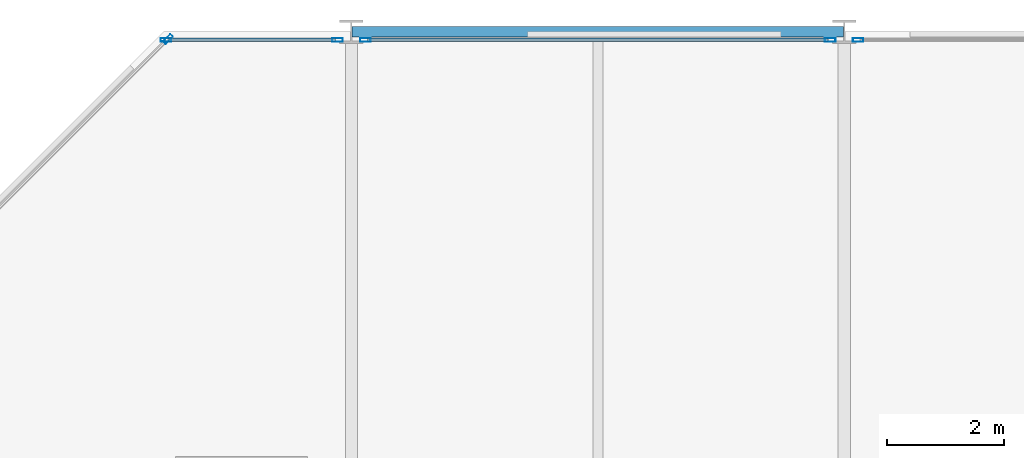
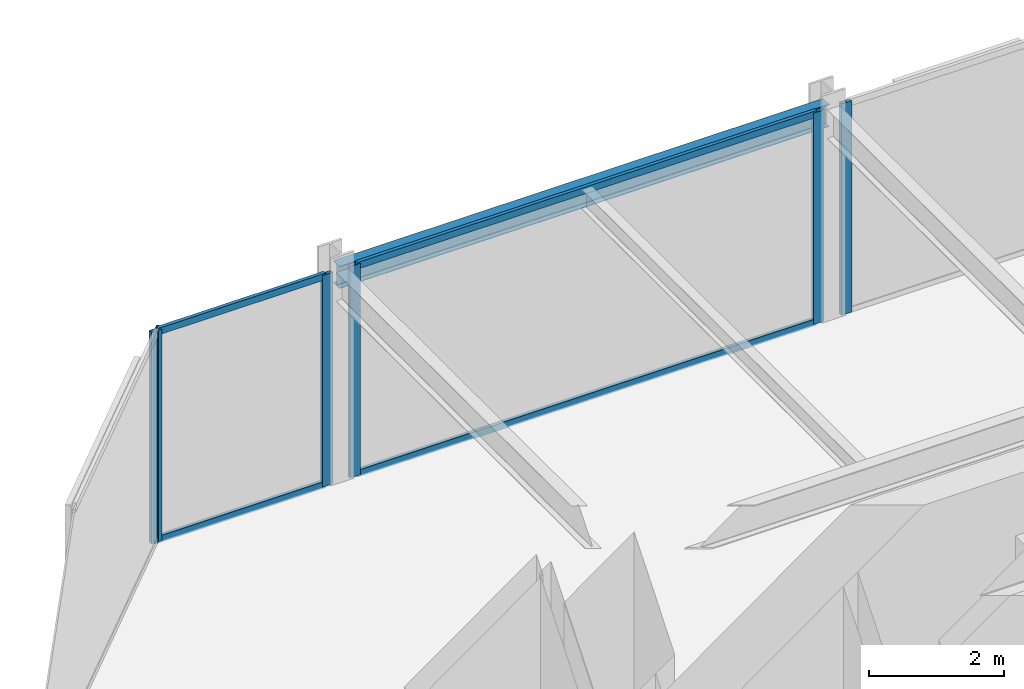
# One storey, part 29 of 38: 10 members, 1 beam, 4 elements without a shape of their own.
"""IFC4 building model written with IfcOpenShell, lengths in metres."""

from ifc_helpers import new_model, si_unit, direction, frame, origin, origin_2d, place, context, subcontext, project, spatial, hollow_rectangle, i_section, extrude, material, layer, layer_set, material_profile, profile_set, type_object, element, aggregate, save


model = new_model("IFC4")

# Units and contexts
model_context = context("Model", 3, precision=1e-05, world=origin(), true_north=direction((0.0, 1.0)))
body_context = subcontext(model_context, "Body", "Model", "MODEL_VIEW")
ifc_project = project(units=[si_unit("LENGTHUNIT", "METRE"), si_unit("AREAUNIT", "SQUARE_METRE"), si_unit("VOLUMEUNIT", "CUBIC_METRE"), si_unit("PLANEANGLEUNIT", "RADIAN"), si_unit("MASSUNIT", "GRAM", prefix="KILO")], contexts=[model_context])

# Site, building, storey
site_placement = place(None, origin())
site = spatial("IfcSite", under=ifc_project, at=site_placement, CompositionType="ELEMENT")
building_placement = place(site_placement, origin())
building = spatial("IfcBuilding", under=site, at=building_placement, Name="Nerrivon Quay Data Exchange", CompositionType="ELEMENT")
storey_placement = place(building_placement, frame((0.0, 0.0, 100.800048828125)))
storey = spatial("IfcBuildingStorey", under=building, at=storey_placement, Name="L23", CompositionType="ELEMENT", Elevation=100.800048828125)

# Beam
ifc_material_1 = material(Name="Steel Grade 350", Category="steel")
ifc_material_profile_1 = material_profile(ifc_material_1, i_section(OverallWidth=0.177978515625, OverallDepth=0.403076171875, WebThickness=0.007568359375, FlangeThickness=0.010986328125, FilletRadius=0.011474609375, at=origin_2d()), Name="410UB53.7")
ifc_profile_set_1 = profile_set([ifc_material_profile_1], Name="Steel Grade 350")
beam_type = type_object("IfcBeamType", Name="BM-SP2-410UB54", PredefinedType="SPANDREL", material=ifc_profile_set_1)
beam_placement = place(storey_placement, frame((8.41259765625, 50.39990234375, 3.62353515625), z_axis=(1.0, 0.0, 0.0), x_axis=(0.0, 1.0, 0.0)))
element("IfcBeam", 1, at=beam_placement, inside=storey, type_object=beam_type, Name="L23 EW Girder Y=50.4 (8.4..16.8)", PredefinedType="SPANDREL", context=body_context, shape_type="SweptSolid", body=[
    extrude(i_section(OverallWidth=0.177978515625, OverallDepth=0.403076171875, WebThickness=0.007568359375, FlangeThickness=0.010986328125, FilletRadius=0.011474609375, at=origin_2d()), origin(), (0.0, 0.0, 1.0), 8.375),
])

# Curtain wall, member
ifc_material_2 = material(Name="Anodised aluminium 6063-T6", Category="aluminium")
ifc_layer = layer(ifc_material_2, 0.2099609375)
ifc_layer_set = layer_set([ifc_layer], Name="Anodised aluminium 6063-T6")
curtain_wall_type = type_object("IfcCurtainWallType", Name="CW-SYS-02", PredefinedType="NOTDEFINED", material=ifc_layer_set)
curtain_wall_1_placement = place(storey_placement, origin())
curtain_wall_1 = element("IfcCurtainWall", 2, at=curtain_wall_1_placement, inside=storey, type_object=curtain_wall_type, Name="L23 Unitised Curtain Wall 23", PredefinedType="NOTDEFINED")
ifc_material_profile_2 = material_profile(ifc_material_2, hollow_rectangle(XDim=0.06494140625, YDim=0.179931640625, WallThickness=0.00341796875, at=origin_2d()), Name="ALU-MULL-180x65")
ifc_profile_set_2 = profile_set([ifc_material_profile_2], Name="Anodised aluminium 6063-T6")
member_type_1 = type_object("IfcMemberType", Name="CWM-180x65", PredefinedType="MULLION", material=ifc_profile_set_2)
member_1_placement = place(storey_placement, frame((5.2724609375, 50.2744140625, 0.0), z_axis=(0.0, 0.0, 1.0), x_axis=(-0.707106781187, 0.707106781187, 0.0)))
member_1 = element("IfcMember", 3, at=member_1_placement, type_object=member_type_1, Name="CW02 mullion 2", PredefinedType="MULLION", context=body_context, shape_type="SweptSolid", body=[
    extrude(hollow_rectangle(XDim=0.06494140625, YDim=0.179931640625, WallThickness=0.00341796875, at=origin_2d()), origin(), (0.0, 0.0, 1.0), 3.824951171875),
])
aggregate(curtain_wall_1, [member_1])

# Curtain wall, members
curtain_wall_2_placement = place(storey_placement, origin())
curtain_wall_2 = element("IfcCurtainWall", 4, at=curtain_wall_2_placement, inside=storey, type_object=curtain_wall_type, Name="L23 Unitised Curtain Wall 24", PredefinedType="NOTDEFINED")
member_2_placement = place(storey_placement, frame((5.237548828125, 50.260009765625, 0.0), z_axis=(0.0, 0.0, 1.0), x_axis=(0.0, 1.0, 0.0)))
member_2 = element("IfcMember", 5, at=member_2_placement, type_object=member_type_1, Name="CW02 mullion 1", PredefinedType="MULLION", context=body_context, shape_type="SweptSolid", body=[
    extrude(hollow_rectangle(XDim=0.06494140625, YDim=0.179931640625, WallThickness=0.00341796875, at=origin_2d()), origin(), (0.0, 0.0, 1.0), 3.824951171875),
])
member_3_placement = place(storey_placement, frame((8.16259765625, 50.260009765625, 0.0), z_axis=(0.0, 0.0, 1.0), x_axis=(0.0, 1.0, 0.0)))
member_3 = element("IfcMember", 6, at=member_3_placement, type_object=member_type_1, Name="CW02 mullion 2", PredefinedType="MULLION", context=body_context, shape_type="SweptSolid", body=[
    extrude(hollow_rectangle(XDim=0.06494140625, YDim=0.179931640625, WallThickness=0.00341796875, at=origin_2d()), origin(), (0.0, 0.0, 1.0), 3.824951171875),
])

curtain_wall_3_placement = place(storey_placement, origin())
curtain_wall_3 = element("IfcCurtainWall", 7, at=curtain_wall_3_placement, inside=storey, type_object=curtain_wall_type, Name="L23 Unitised Curtain Wall 25", PredefinedType="NOTDEFINED")
member_4_placement = place(storey_placement, frame((8.637451171875, 50.260009765625, 0.0), z_axis=(0.0, 0.0, 1.0), x_axis=(0.0, 1.0, 0.0)))
member_4 = element("IfcMember", 8, at=member_4_placement, type_object=member_type_1, Name="CW02 mullion 1", PredefinedType="MULLION", context=body_context, shape_type="SweptSolid", body=[
    extrude(hollow_rectangle(XDim=0.06494140625, YDim=0.179931640625, WallThickness=0.00341796875, at=origin_2d()), origin(), (0.0, 0.0, 1.0), 3.824951171875),
])
member_5_placement = place(storey_placement, frame((16.5625, 50.260009765625, 0.0), z_axis=(0.0, 0.0, 1.0), x_axis=(0.0, 1.0, 0.0)))
member_5 = element("IfcMember", 9, at=member_5_placement, type_object=member_type_1, Name="CW02 mullion 2", PredefinedType="MULLION", context=body_context, shape_type="SweptSolid", body=[
    extrude(hollow_rectangle(XDim=0.06494140625, YDim=0.179931640625, WallThickness=0.00341796875, at=origin_2d()), origin(), (0.0, 0.0, 1.0), 3.824951171875),
])

# Curtain wall, member
curtain_wall_4_placement = place(storey_placement, origin())
curtain_wall_4 = element("IfcCurtainWall", 10, at=curtain_wall_4_placement, inside=storey, type_object=curtain_wall_type, Name="L23 Unitised Curtain Wall 26", PredefinedType="NOTDEFINED")
member_6_placement = place(storey_placement, frame((17.03759765625, 50.260009765625, 0.0), z_axis=(0.0, 0.0, 1.0), x_axis=(0.0, 1.0, 0.0)))
member_6 = element("IfcMember", 11, at=member_6_placement, type_object=member_type_1, Name="CW02 mullion 1", PredefinedType="MULLION", context=body_context, shape_type="SweptSolid", body=[
    extrude(hollow_rectangle(XDim=0.06494140625, YDim=0.179931640625, WallThickness=0.00341796875, at=origin_2d()), origin(), (0.0, 0.0, 1.0), 3.824951171875),
])
aggregate(curtain_wall_4, [member_6])

# Member
ifc_material_profile_3 = material_profile(ifc_material_2, hollow_rectangle(XDim=0.06005859375, YDim=0.1201171875, WallThickness=0.003173828125, at=origin_2d()), Name="ALU-TRAN-120x60")
ifc_profile_set_3 = profile_set([ifc_material_profile_3], Name="Anodised aluminium 6063-T6")
member_type_2 = type_object("IfcMemberType", Name="CWT-120x60", PredefinedType="USERDEFINED", material=ifc_profile_set_3)
member_7_placement = place(storey_placement, frame((5.27490234375, 50.260009765625, 0.032470703125), z_axis=(1.0, 0.0, 0.0), x_axis=(0.0, 1.0, 0.0)))
member_7 = element("IfcMember", 12, at=member_7_placement, type_object=member_type_2, Name="CW02 transom 1.1", ObjectType="TRANSOM", PredefinedType="USERDEFINED", context=body_context, shape_type="SweptSolid", body=[
    extrude(hollow_rectangle(XDim=0.06005859375, YDim=0.1201171875, WallThickness=0.003173828125, at=origin_2d()), origin(), (0.0, 0.0, 1.0), 2.85009765625),
])

member_8_placement = place(storey_placement, frame((5.27490234375, 50.260009765625, 3.79248046875), z_axis=(1.0, 0.0, 0.0), x_axis=(0.0, 1.0, 0.0)))
member_8 = element("IfcMember", 13, at=member_8_placement, type_object=member_type_2, Name="CW02 transom 1.2", ObjectType="TRANSOM", PredefinedType="USERDEFINED", context=body_context, shape_type="SweptSolid", body=[
    extrude(hollow_rectangle(XDim=0.06005859375, YDim=0.1201171875, WallThickness=0.003173828125, at=origin_2d()), origin(), (0.0, 0.0, 1.0), 2.85009765625),
])

aggregate(curtain_wall_2, [member_2, member_3, member_7, member_8])

member_9_placement = place(storey_placement, frame((8.675048828125, 50.260009765625, 0.032470703125), z_axis=(1.0, 0.0, 0.0), x_axis=(0.0, 1.0, 0.0)))
member_9 = element("IfcMember", 14, at=member_9_placement, type_object=member_type_2, Name="CW02 transom 1.1", ObjectType="TRANSOM", PredefinedType="USERDEFINED", context=body_context, shape_type="SweptSolid", body=[
    extrude(hollow_rectangle(XDim=0.06005859375, YDim=0.1201171875, WallThickness=0.003173828125, at=origin_2d()), origin(), (0.0, 0.0, 1.0), 7.849853515625),
])

member_10_placement = place(storey_placement, frame((8.675048828125, 50.260009765625, 3.79248046875), z_axis=(1.0, 0.0, 0.0), x_axis=(0.0, 1.0, 0.0)))
member_10 = element("IfcMember", 15, at=member_10_placement, type_object=member_type_2, Name="CW02 transom 1.2", ObjectType="TRANSOM", PredefinedType="USERDEFINED", context=body_context, shape_type="SweptSolid", body=[
    extrude(hollow_rectangle(XDim=0.06005859375, YDim=0.1201171875, WallThickness=0.003173828125, at=origin_2d()), origin(), (0.0, 0.0, 1.0), 7.849853515625),
])

aggregate(curtain_wall_3, [member_4, member_5, member_9, member_10])

save(model, "model.ifc")
